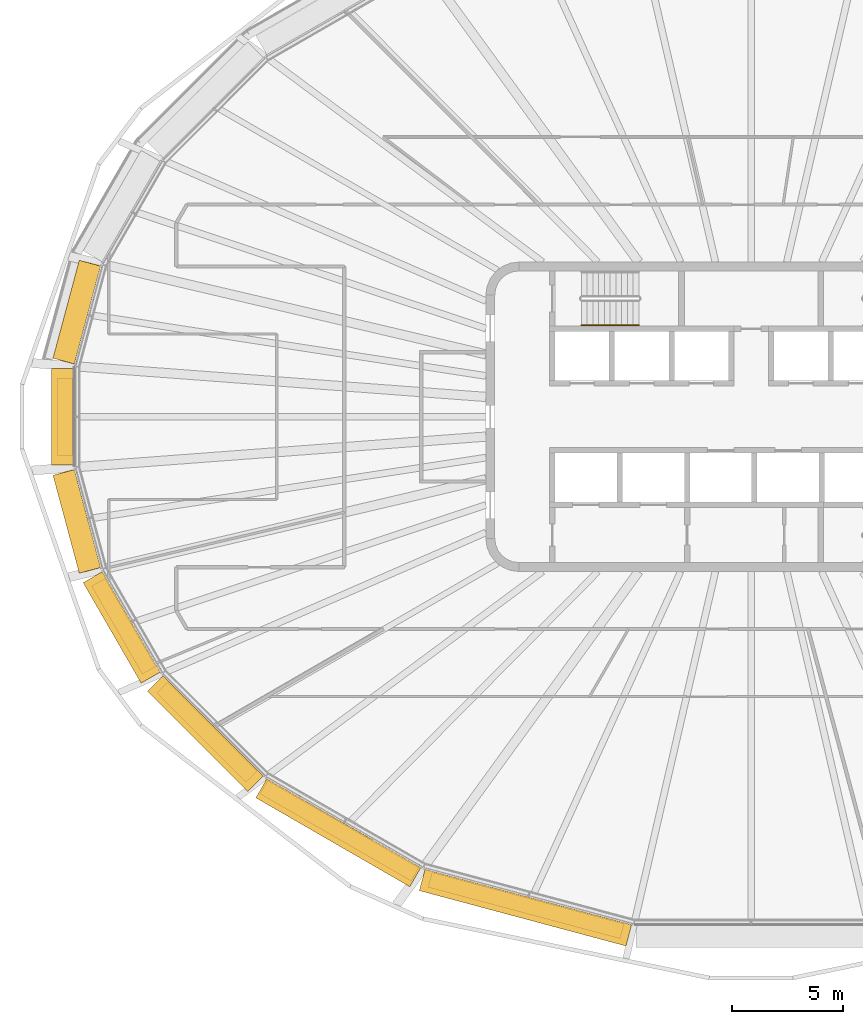
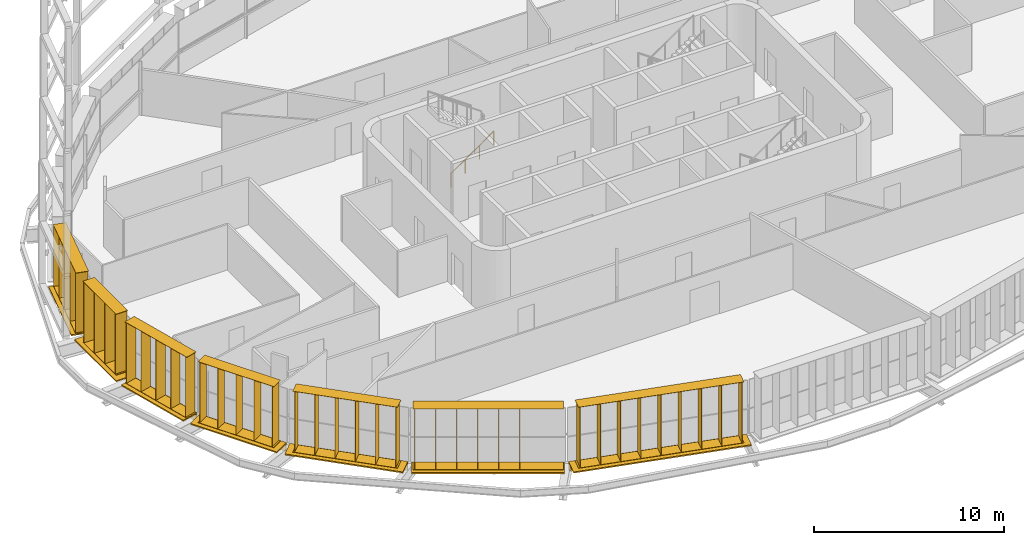
# One storey, part 15 of 20: 14 shading devices, 1 railing.
"""IFC4 building model written with IfcOpenShell, lengths in metres."""

from ifc_helpers import new_model, si_unit, direction, frame, origin, origin_2d, place, context, subcontext, project, spatial, rectangle, circle, extrude, material, type_object, element, save


model = new_model("IFC4")

# Units and contexts
model_context = context("Model", 3, precision=1e-05, world=origin(), true_north=direction((0.0, 1.0)))
body_context = subcontext(model_context, "Body", "Model", "MODEL_VIEW")
ifc_project = project(units=[si_unit("LENGTHUNIT", "METRE"), si_unit("AREAUNIT", "SQUARE_METRE"), si_unit("VOLUMEUNIT", "CUBIC_METRE"), si_unit("PLANEANGLEUNIT", "RADIAN"), si_unit("MASSUNIT", "GRAM", prefix="KILO")], contexts=[model_context])

# Site, building, storey
site_placement = place(None, origin())
site = spatial("IfcSite", under=ifc_project, at=site_placement, CompositionType="ELEMENT")
building_placement = place(site_placement, origin())
building = spatial("IfcBuilding", under=site, at=building_placement, Name="Sahrelin Media Tower", CompositionType="ELEMENT")
storey_placement = place(building_placement, frame((0.0, 0.0, 213.60009765625)))
storey = spatial("IfcBuildingStorey", under=building, at=storey_placement, Name="L45", CompositionType="ELEMENT", Elevation=213.60009765625)

# Shading devices
ifc_material_1 = material(Name="Champagne anodised aluminium 6063-T6", Category="aluminium")
shading_device_type_1 = type_object("IfcShadingDeviceType", Name="Fin cassette", PredefinedType="USERDEFINED", material=ifc_material_1)
placement_1 = place(storey_placement, frame((-30.00244140625, 4.59912109375, 0.0), z_axis=(0.0, 0.0, 1.0), x_axis=(0.258807731996, 0.965928857556, 0.0)))
element("IfcShadingDevice", 1, at=placement_1, inside=storey, type_object=shading_device_type_1, Name="L45:FIN:L45-11", ObjectType="FIN", PredefinedType="USERDEFINED", context=body_context, shape_type="SweptSolid", body=[
    extrude(rectangle(XDim=4.60009765625, YDim=0.699951171875, at=origin_2d()), frame((0.0, 0.419921875, 0.0)), (0.0, 0.0, 1.0), 0.02001953125),
    extrude(rectangle(XDim=4.60009765625, YDim=0.699951171875, at=origin_2d()), frame((0.0, 0.419921875, 3.89990234375)), (0.0, 0.0, 1.0), 0.02001953125),
    extrude(rectangle(XDim=0.02001953125, YDim=0.699951171875, at=origin_2d()), frame((-2.199951171875, 0.419921875, 0.010009765625), z_axis=(0.0, 0.0, 1.0), x_axis=(1.0, 0.0, 0.0)), (0.0, 0.0, 1.0), 3.89990234375),
    extrude(rectangle(XDim=0.02001953125, YDim=0.699951171875, at=origin_2d()), frame((-1.10009765625, 0.419921875, 0.010009765625), z_axis=(0.0, 0.0, 1.0), x_axis=(1.0, 0.0, 0.0)), (0.0, 0.0, 1.0), 3.89990234375),
    extrude(rectangle(XDim=0.02001953125, YDim=0.699951171875, at=origin_2d()), frame((0.0, 0.419921875, 0.010009765625), z_axis=(0.0, 0.0, 1.0), x_axis=(1.0, 0.0, 0.0)), (0.0, 0.0, 1.0), 3.89990234375),
    extrude(rectangle(XDim=0.02001953125, YDim=0.699951171875, at=origin_2d()), frame((1.10009765625, 0.419921875, 0.010009765625), z_axis=(0.0, 0.0, 1.0), x_axis=(1.0, 0.0, 0.0)), (0.0, 0.0, 1.0), 3.89990234375),
    extrude(rectangle(XDim=0.02001953125, YDim=0.699951171875, at=origin_2d()), frame((2.199951171875, 0.419921875, 0.010009765625), z_axis=(0.0, 0.0, 1.0), x_axis=(1.0, 0.0, 0.0)), (0.0, 0.0, 1.0), 3.89990234375),
])
placement_2 = place(storey_placement, frame((-30.621826171875, 0.0, 0.0), z_axis=(0.0, 0.0, 1.0), x_axis=(0.0, 1.0, 0.0)))
element("IfcShadingDevice", 2, at=placement_2, inside=storey, type_object=shading_device_type_1, Name="L45:FIN:L45-12", ObjectType="FIN", PredefinedType="USERDEFINED", context=body_context, shape_type="SweptSolid", body=[
    extrude(rectangle(XDim=3.5, YDim=0.699951171875, at=origin_2d()), frame((0.0, 0.419921875, 0.0)), (0.0, 0.0, 1.0), 0.02001953125),
    extrude(rectangle(XDim=3.5, YDim=0.699951171875, at=origin_2d()), frame((0.0, 0.419921875, 3.89990234375)), (0.0, 0.0, 1.0), 0.02001953125),
    extrude(rectangle(XDim=0.02001953125, YDim=0.699951171875, at=origin_2d()), frame((-1.64990234375, 0.419921875, 0.010009765625), z_axis=(0.0, 0.0, 1.0), x_axis=(1.0, 0.0, 0.0)), (0.0, 0.0, 1.0), 3.89990234375),
    extrude(rectangle(XDim=0.02001953125, YDim=0.699951171875, at=origin_2d()), frame((-0.550048828125, 0.419921875, 0.010009765625), z_axis=(0.0, 0.0, 1.0), x_axis=(1.0, 0.0, 0.0)), (0.0, 0.0, 1.0), 3.89990234375),
    extrude(rectangle(XDim=0.02001953125, YDim=0.699951171875, at=origin_2d()), frame((0.550048828125, 0.419921875, 0.010009765625), z_axis=(0.0, 0.0, 1.0), x_axis=(1.0, 0.0, 0.0)), (0.0, 0.0, 1.0), 3.89990234375),
    extrude(rectangle(XDim=0.02001953125, YDim=0.699951171875, at=origin_2d()), frame((1.64990234375, 0.419921875, 0.010009765625), z_axis=(0.0, 0.0, 1.0), x_axis=(1.0, 0.0, 0.0)), (0.0, 0.0, 1.0), 3.89990234375),
])
placement_3 = place(storey_placement, frame((-30.00244140625, -4.599365234375, 0.0), z_axis=(0.0, 0.0, 1.0), x_axis=(-0.258807731996, 0.965928857556, 0.0)))
element("IfcShadingDevice", 3, at=placement_3, inside=storey, type_object=shading_device_type_1, Name="L45:FIN:L45-13", ObjectType="FIN", PredefinedType="USERDEFINED", context=body_context, shape_type="SweptSolid", body=[
    extrude(rectangle(XDim=4.60009765625, YDim=0.699951171875, at=origin_2d()), frame((0.0, 0.419921875, 0.0)), (0.0, 0.0, 1.0), 0.02001953125),
    extrude(rectangle(XDim=4.60009765625, YDim=0.699951171875, at=origin_2d()), frame((0.0, 0.419921875, 3.89990234375)), (0.0, 0.0, 1.0), 0.02001953125),
    extrude(rectangle(XDim=0.02001953125, YDim=0.699951171875, at=origin_2d()), frame((-2.199951171875, 0.419921875, 0.010009765625), z_axis=(0.0, 0.0, 1.0), x_axis=(1.0, 0.0, 0.0)), (0.0, 0.0, 1.0), 3.89990234375),
    extrude(rectangle(XDim=0.02001953125, YDim=0.699951171875, at=origin_2d()), frame((-1.10009765625, 0.419921875, 0.010009765625), z_axis=(0.0, 0.0, 1.0), x_axis=(1.0, 0.0, 0.0)), (0.0, 0.0, 1.0), 3.89990234375),
    extrude(rectangle(XDim=0.02001953125, YDim=0.699951171875, at=origin_2d()), frame((0.0, 0.419921875, 0.010009765625), z_axis=(0.0, 0.0, 1.0), x_axis=(1.0, 0.0, 0.0)), (0.0, 0.0, 1.0), 3.89990234375),
    extrude(rectangle(XDim=0.02001953125, YDim=0.699951171875, at=origin_2d()), frame((1.10009765625, 0.419921875, 0.010009765625), z_axis=(0.0, 0.0, 1.0), x_axis=(1.0, 0.0, 0.0)), (0.0, 0.0, 1.0), 3.89990234375),
    extrude(rectangle(XDim=0.02001953125, YDim=0.699951171875, at=origin_2d()), frame((2.199951171875, 0.419921875, 0.010009765625), z_axis=(0.0, 0.0, 1.0), x_axis=(1.0, 0.0, 0.0)), (0.0, 0.0, 1.0), 3.89990234375),
])
placement_4 = place(storey_placement, frame((-28.02197265625, -9.268310546875, 0.0), z_axis=(0.0, 0.0, 1.0), x_axis=(-0.500011000363, 0.866019052629, 0.0)))
element("IfcShadingDevice", 4, at=placement_4, inside=storey, type_object=shading_device_type_1, Name="L45:FIN:L45-14", ObjectType="FIN", PredefinedType="USERDEFINED", context=body_context, shape_type="SweptSolid", body=[
    extrude(rectangle(XDim=4.60009765625, YDim=0.699951171875, at=origin_2d()), frame((0.0, 0.419921875, 0.0)), (0.0, 0.0, 1.0), 0.02001953125),
    extrude(rectangle(XDim=4.60009765625, YDim=0.699951171875, at=origin_2d()), frame((0.0, 0.419921875, 3.89990234375)), (0.0, 0.0, 1.0), 0.02001953125),
    extrude(rectangle(XDim=0.02001953125, YDim=0.699951171875, at=origin_2d()), frame((-2.199951171875, 0.419921875, 0.010009765625), z_axis=(0.0, 0.0, 1.0), x_axis=(1.0, 0.0, 0.0)), (0.0, 0.0, 1.0), 3.89990234375),
    extrude(rectangle(XDim=0.02001953125, YDim=0.699951171875, at=origin_2d()), frame((-1.10009765625, 0.419921875, 0.010009765625), z_axis=(0.0, 0.0, 1.0), x_axis=(1.0, 0.0, 0.0)), (0.0, 0.0, 1.0), 3.89990234375),
    extrude(rectangle(XDim=0.02001953125, YDim=0.699951171875, at=origin_2d()), frame((0.0, 0.419921875, 0.010009765625), z_axis=(0.0, 0.0, 1.0), x_axis=(1.0, 0.0, 0.0)), (0.0, 0.0, 1.0), 3.89990234375),
    extrude(rectangle(XDim=0.02001953125, YDim=0.699951171875, at=origin_2d()), frame((1.10009765625, 0.419921875, 0.010009765625), z_axis=(0.0, 0.0, 1.0), x_axis=(1.0, 0.0, 0.0)), (0.0, 0.0, 1.0), 3.89990234375),
    extrude(rectangle(XDim=0.02001953125, YDim=0.699951171875, at=origin_2d()), frame((2.199951171875, 0.419921875, 0.010009765625), z_axis=(0.0, 0.0, 1.0), x_axis=(1.0, 0.0, 0.0)), (0.0, 0.0, 1.0), 3.89990234375),
])
placement_5 = place(storey_placement, frame((-24.32177734375, -13.96484375, 0.0), z_axis=(0.0, 0.0, 1.0), x_axis=(-0.707106781187, 0.707106781187, 0.0)))
element("IfcShadingDevice", 5, at=placement_5, inside=storey, type_object=shading_device_type_1, Name="L45:FIN:L45-15", ObjectType="FIN", PredefinedType="USERDEFINED", context=body_context, shape_type="SweptSolid", body=[
    extrude(rectangle(XDim=5.699951171875, YDim=0.699951171875, at=origin_2d()), frame((0.0, 0.419921875, 0.0)), (0.0, 0.0, 1.0), 0.02001953125),
    extrude(rectangle(XDim=5.699951171875, YDim=0.699951171875, at=origin_2d()), frame((0.0, 0.419921875, 3.89990234375)), (0.0, 0.0, 1.0), 0.02001953125),
    extrude(rectangle(XDim=0.02001953125, YDim=0.699951171875, at=origin_2d()), frame((-2.75, 0.419921875, 0.010009765625), z_axis=(0.0, 0.0, 1.0), x_axis=(1.0, 0.0, 0.0)), (0.0, 0.0, 1.0), 3.89990234375),
    extrude(rectangle(XDim=0.02001953125, YDim=0.699951171875, at=origin_2d()), frame((-1.64990234375, 0.419921875, 0.010009765625), z_axis=(0.0, 0.0, 1.0), x_axis=(1.0, 0.0, 0.0)), (0.0, 0.0, 1.0), 3.89990234375),
    extrude(rectangle(XDim=0.02001953125, YDim=0.699951171875, at=origin_2d()), frame((-0.550048828125, 0.419921875, 0.010009765625), z_axis=(0.0, 0.0, 1.0), x_axis=(1.0, 0.0, 0.0)), (0.0, 0.0, 1.0), 3.89990234375),
    extrude(rectangle(XDim=0.02001953125, YDim=0.699951171875, at=origin_2d()), frame((0.550048828125, 0.419921875, 0.010009765625), z_axis=(0.0, 0.0, 1.0), x_axis=(1.0, 0.0, 0.0)), (0.0, 0.0, 1.0), 3.89990234375),
    extrude(rectangle(XDim=0.02001953125, YDim=0.699951171875, at=origin_2d()), frame((1.64990234375, 0.419921875, 0.010009765625), z_axis=(0.0, 0.0, 1.0), x_axis=(1.0, 0.0, 0.0)), (0.0, 0.0, 1.0), 3.89990234375),
    extrude(rectangle(XDim=0.02001953125, YDim=0.699951171875, at=origin_2d()), frame((2.75, 0.419921875, 0.010009765625), z_axis=(0.0, 0.0, 1.0), x_axis=(1.0, 0.0, 0.0)), (0.0, 0.0, 1.0), 3.89990234375),
])
placement_6 = place(storey_placement, frame((-18.413330078125, -18.364501953125, 0.0), z_axis=(0.0, 0.0, 1.0), x_axis=(-0.866019052629, 0.500011000363, 0.0)))
element("IfcShadingDevice", 6, at=placement_6, inside=storey, type_object=shading_device_type_1, Name="L45:FIN:L45-16", ObjectType="FIN", PredefinedType="USERDEFINED", context=body_context, shape_type="SweptSolid", body=[
    extrude(rectangle(XDim=7.89990234375, YDim=0.699951171875, at=origin_2d()), frame((0.0, 0.419921875, 0.0)), (0.0, 0.0, 1.0), 0.02001953125),
    extrude(rectangle(XDim=7.89990234375, YDim=0.699951171875, at=origin_2d()), frame((0.0, 0.419921875, 3.89990234375)), (0.0, 0.0, 1.0), 0.02001953125),
    extrude(rectangle(XDim=0.02001953125, YDim=0.699951171875, at=origin_2d()), frame((-3.85009765625, 0.419921875, 0.010009765625), z_axis=(0.0, 0.0, 1.0), x_axis=(1.0, 0.0, 0.0)), (0.0, 0.0, 1.0), 3.89990234375),
    extrude(rectangle(XDim=0.02001953125, YDim=0.699951171875, at=origin_2d()), frame((-2.75, 0.419921875, 0.010009765625), z_axis=(0.0, 0.0, 1.0), x_axis=(1.0, 0.0, 0.0)), (0.0, 0.0, 1.0), 3.89990234375),
    extrude(rectangle(XDim=0.02001953125, YDim=0.699951171875, at=origin_2d()), frame((-1.64990234375, 0.419921875, 0.010009765625), z_axis=(0.0, 0.0, 1.0), x_axis=(1.0, 0.0, 0.0)), (0.0, 0.0, 1.0), 3.89990234375),
    extrude(rectangle(XDim=0.02001953125, YDim=0.699951171875, at=origin_2d()), frame((-0.550048828125, 0.419921875, 0.010009765625), z_axis=(0.0, 0.0, 1.0), x_axis=(1.0, 0.0, 0.0)), (0.0, 0.0, 1.0), 3.89990234375),
    extrude(rectangle(XDim=0.02001953125, YDim=0.699951171875, at=origin_2d()), frame((0.550048828125, 0.419921875, 0.010009765625), z_axis=(0.0, 0.0, 1.0), x_axis=(1.0, 0.0, 0.0)), (0.0, 0.0, 1.0), 3.89990234375),
    extrude(rectangle(XDim=0.02001953125, YDim=0.699951171875, at=origin_2d()), frame((1.64990234375, 0.419921875, 0.010009765625), z_axis=(0.0, 0.0, 1.0), x_axis=(1.0, 0.0, 0.0)), (0.0, 0.0, 1.0), 3.89990234375),
    extrude(rectangle(XDim=0.02001953125, YDim=0.699951171875, at=origin_2d()), frame((2.75, 0.419921875, 0.010009765625), z_axis=(0.0, 0.0, 1.0), x_axis=(1.0, 0.0, 0.0)), (0.0, 0.0, 1.0), 3.89990234375),
    extrude(rectangle(XDim=0.02001953125, YDim=0.699951171875, at=origin_2d()), frame((3.85009765625, 0.419921875, 0.010009765625), z_axis=(0.0, 0.0, 1.0), x_axis=(1.0, 0.0, 0.0)), (0.0, 0.0, 1.0), 3.89990234375),
])
placement_7 = place(storey_placement, frame((-10.072998046875, -21.703857421875, 0.0), z_axis=(0.0, 0.0, 1.0), x_axis=(-0.965928857556, 0.258807731996, 0.0)))
element("IfcShadingDevice", 7, at=placement_7, inside=storey, type_object=shading_device_type_1, Name="L45:FIN:L45-17", ObjectType="FIN", PredefinedType="USERDEFINED", context=body_context, shape_type="SweptSolid", body=[
    extrude(rectangle(XDim=9.0, YDim=0.699951171875, at=origin_2d()), frame((0.0, 0.419921875, 0.0)), (0.0, 0.0, 1.0), 0.02001953125),
    extrude(rectangle(XDim=9.0, YDim=0.699951171875, at=origin_2d()), frame((0.0, 0.419921875, 3.89990234375)), (0.0, 0.0, 1.0), 0.02001953125),
    extrude(rectangle(XDim=0.02001953125, YDim=0.699951171875, at=origin_2d()), frame((-4.39990234375, 0.419921875, 0.010009765625), z_axis=(0.0, 0.0, 1.0), x_axis=(1.0, 0.0, 0.0)), (0.0, 0.0, 1.0), 3.89990234375),
    extrude(rectangle(XDim=0.02001953125, YDim=0.699951171875, at=origin_2d()), frame((-3.300048828125, 0.419921875, 0.010009765625), z_axis=(0.0, 0.0, 1.0), x_axis=(1.0, 0.0, 0.0)), (0.0, 0.0, 1.0), 3.89990234375),
    extrude(rectangle(XDim=0.02001953125, YDim=0.699951171875, at=origin_2d()), frame((-2.199951171875, 0.419921875, 0.010009765625), z_axis=(0.0, 0.0, 1.0), x_axis=(1.0, 0.0, 0.0)), (0.0, 0.0, 1.0), 3.89990234375),
    extrude(rectangle(XDim=0.02001953125, YDim=0.699951171875, at=origin_2d()), frame((-1.10009765625, 0.419921875, 0.010009765625), z_axis=(0.0, 0.0, 1.0), x_axis=(1.0, 0.0, 0.0)), (0.0, 0.0, 1.0), 3.89990234375),
    extrude(rectangle(XDim=0.02001953125, YDim=0.699951171875, at=origin_2d()), frame((0.0, 0.419921875, 0.010009765625), z_axis=(0.0, 0.0, 1.0), x_axis=(1.0, 0.0, 0.0)), (0.0, 0.0, 1.0), 3.89990234375),
    extrude(rectangle(XDim=0.02001953125, YDim=0.699951171875, at=origin_2d()), frame((1.10009765625, 0.419921875, 0.010009765625), z_axis=(0.0, 0.0, 1.0), x_axis=(1.0, 0.0, 0.0)), (0.0, 0.0, 1.0), 3.89990234375),
    extrude(rectangle(XDim=0.02001953125, YDim=0.699951171875, at=origin_2d()), frame((2.199951171875, 0.419921875, 0.010009765625), z_axis=(0.0, 0.0, 1.0), x_axis=(1.0, 0.0, 0.0)), (0.0, 0.0, 1.0), 3.89990234375),
    extrude(rectangle(XDim=0.02001953125, YDim=0.699951171875, at=origin_2d()), frame((3.300048828125, 0.419921875, 0.010009765625), z_axis=(0.0, 0.0, 1.0), x_axis=(1.0, 0.0, 0.0)), (0.0, 0.0, 1.0), 3.89990234375),
    extrude(rectangle(XDim=0.02001953125, YDim=0.699951171875, at=origin_2d()), frame((4.39990234375, 0.419921875, 0.010009765625), z_axis=(0.0, 0.0, 1.0), x_axis=(1.0, 0.0, 0.0)), (0.0, 0.0, 1.0), 3.89990234375),
])

# Railing
ifc_material_2 = material(Name="Steel S355", Category="steel")
railing_type = type_object("IfcRailingType", Name="Stair handrail 900", PredefinedType="HANDRAIL", material=ifc_material_2)
railing_placement = place(storey_placement, frame((-7.675048828125, 4.14990234375, 0.181640625)))
element("IfcRailing", 8, at=railing_placement, inside=storey, type_object=railing_type, Name="L45 ST1 stair handrail 1", PredefinedType="HANDRAIL", context=body_context, shape_type="SweptSolid", body=[
    extrude(circle(Radius=0.02392578125, at=origin_2d()), frame((0.0, 0.0, 0.8759765625), z_axis=(0.819484887739, 0.0, 0.573100792852), x_axis=(0.0, 1.0, 0.0)), (0.0, 0.0, 1.0), 3.1728515625),
    extrude(circle(Radius=0.02099609375, at=origin_2d()), origin(), (0.0, 0.0, 1.0), 0.851806640625),
    extrude(circle(Radius=0.02099609375, at=origin_2d()), frame((0.86669921875, 0.0, 0.606201171875)), (0.0, 0.0, 1.0), 0.851806640625),
    extrude(circle(Radius=0.02099609375, at=origin_2d()), frame((1.7333984375, 0.0, 1.212158203125)), (0.0, 0.0, 1.0), 0.851806640625),
    extrude(circle(Radius=0.02099609375, at=origin_2d()), frame((2.60009765625, 0.0, 1.818359375)), (0.0, 0.0, 1.0), 0.851806640625),
])

# Shading devices
shading_device_type_2 = type_object("IfcShadingDeviceType", Name="Sunshade band", PredefinedType="USERDEFINED", material=ifc_material_1)
element("IfcShadingDevice", 9, at=placement_1, inside=storey, type_object=shading_device_type_2, Name="L45:SUN:L45-11", ObjectType="SUNSHADE", PredefinedType="USERDEFINED", context=body_context, shape_type="SweptSolid", body=[
    extrude(rectangle(XDim=4.585693359375, YDim=0.050048828125, at=origin_2d()), frame((0.0, 0.044921875, -0.55126953125)), (0.0, 0.0, 1.0), 0.471435546875),
    extrude(rectangle(XDim=4.585693359375, YDim=1.0, at=origin_2d()), frame((0.0, 0.52001953125, -0.080078125)), (0.0, 0.0, 1.0), 0.080078125),
    extrude(rectangle(XDim=0.10009765625, YDim=0.074951171875, at=origin_2d()), frame((-2.19287109375, -0.017578125, -0.47021484375)), (0.0, 0.0, 1.0), 0.300048828125),
    extrude(rectangle(XDim=0.10009765625, YDim=0.074951171875, at=origin_2d()), frame((-0.73095703125, -0.017578125, -0.47021484375)), (0.0, 0.0, 1.0), 0.300048828125),
    extrude(rectangle(XDim=0.10009765625, YDim=0.074951171875, at=origin_2d()), frame((0.73095703125, -0.017578125, -0.47021484375)), (0.0, 0.0, 1.0), 0.300048828125),
    extrude(rectangle(XDim=0.10009765625, YDim=0.074951171875, at=origin_2d()), frame((2.19287109375, -0.017578125, -0.47021484375)), (0.0, 0.0, 1.0), 0.300048828125),
])
element("IfcShadingDevice", 10, at=placement_2, inside=storey, type_object=shading_device_type_2, Name="L45:SUN:L45-12", ObjectType="SUNSHADE", PredefinedType="USERDEFINED", context=body_context, shape_type="SweptSolid", body=[
    extrude(rectangle(XDim=4.3759765625, YDim=0.050048828125, at=origin_2d()), frame((0.0, 0.044921875, -0.55126953125)), (0.0, 0.0, 1.0), 0.471435546875),
    extrude(rectangle(XDim=4.3759765625, YDim=1.0, at=origin_2d()), frame((0.0, 0.52001953125, -0.080078125)), (0.0, 0.0, 1.0), 0.080078125),
    extrude(rectangle(XDim=0.10009765625, YDim=0.074951171875, at=origin_2d()), frame((-2.087890625, -0.017578125, -0.47021484375)), (0.0, 0.0, 1.0), 0.300048828125),
    extrude(rectangle(XDim=0.10009765625, YDim=0.074951171875, at=origin_2d()), frame((-0.696044921875, -0.017578125, -0.47021484375)), (0.0, 0.0, 1.0), 0.300048828125),
    extrude(rectangle(XDim=0.10009765625, YDim=0.074951171875, at=origin_2d()), frame((0.696044921875, -0.017578125, -0.47021484375)), (0.0, 0.0, 1.0), 0.300048828125),
    extrude(rectangle(XDim=0.10009765625, YDim=0.074951171875, at=origin_2d()), frame((2.087890625, -0.017578125, -0.47021484375)), (0.0, 0.0, 1.0), 0.300048828125),
])
element("IfcShadingDevice", 11, at=placement_3, inside=storey, type_object=shading_device_type_2, Name="L45:SUN:L45-13", ObjectType="SUNSHADE", PredefinedType="USERDEFINED", context=body_context, shape_type="SweptSolid", body=[
    extrude(rectangle(XDim=4.585693359375, YDim=0.050048828125, at=origin_2d()), frame((0.0, 0.044921875, -0.55126953125)), (0.0, 0.0, 1.0), 0.471435546875),
    extrude(rectangle(XDim=4.585693359375, YDim=1.0, at=origin_2d()), frame((0.0, 0.52001953125, -0.080078125)), (0.0, 0.0, 1.0), 0.080078125),
    extrude(rectangle(XDim=0.10009765625, YDim=0.074951171875, at=origin_2d()), frame((-2.19287109375, -0.017578125, -0.47021484375)), (0.0, 0.0, 1.0), 0.300048828125),
    extrude(rectangle(XDim=0.10009765625, YDim=0.074951171875, at=origin_2d()), frame((-0.73095703125, -0.017578125, -0.47021484375)), (0.0, 0.0, 1.0), 0.300048828125),
    extrude(rectangle(XDim=0.10009765625, YDim=0.074951171875, at=origin_2d()), frame((0.73095703125, -0.017578125, -0.47021484375)), (0.0, 0.0, 1.0), 0.300048828125),
    extrude(rectangle(XDim=0.10009765625, YDim=0.074951171875, at=origin_2d()), frame((2.19287109375, -0.017578125, -0.47021484375)), (0.0, 0.0, 1.0), 0.300048828125),
])
element("IfcShadingDevice", 12, at=placement_4, inside=storey, type_object=shading_device_type_2, Name="L45:SUN:L45-14", ObjectType="SUNSHADE", PredefinedType="USERDEFINED", context=body_context, shape_type="SweptSolid", body=[
    extrude(rectangle(XDim=5.2451171875, YDim=0.050048828125, at=origin_2d()), frame((0.0, 0.044921875, -0.55126953125)), (0.0, 0.0, 1.0), 0.471435546875),
    extrude(rectangle(XDim=5.2451171875, YDim=1.0, at=origin_2d()), frame((0.0, 0.52001953125, -0.080078125)), (0.0, 0.0, 1.0), 0.080078125),
    extrude(rectangle(XDim=0.10009765625, YDim=0.074951171875, at=origin_2d()), frame((-2.522705078125, -0.017578125, -0.47021484375)), (0.0, 0.0, 1.0), 0.300048828125),
    extrude(rectangle(XDim=0.10009765625, YDim=0.074951171875, at=origin_2d()), frame((-0.8408203125, -0.017578125, -0.47021484375)), (0.0, 0.0, 1.0), 0.300048828125),
    extrude(rectangle(XDim=0.10009765625, YDim=0.074951171875, at=origin_2d()), frame((0.8408203125, -0.017578125, -0.47021484375)), (0.0, 0.0, 1.0), 0.300048828125),
    extrude(rectangle(XDim=0.10009765625, YDim=0.074951171875, at=origin_2d()), frame((2.522705078125, -0.017578125, -0.47021484375)), (0.0, 0.0, 1.0), 0.300048828125),
])
element("IfcShadingDevice", 13, at=placement_5, inside=storey, type_object=shading_device_type_2, Name="L45:SUN:L45-15", ObjectType="SUNSHADE", PredefinedType="USERDEFINED", context=body_context, shape_type="SweptSolid", body=[
    extrude(rectangle(XDim=6.4150390625, YDim=0.050048828125, at=origin_2d()), frame((0.0, 0.044921875, -0.55126953125)), (0.0, 0.0, 1.0), 0.471435546875),
    extrude(rectangle(XDim=6.4150390625, YDim=1.0, at=origin_2d()), frame((0.0, 0.52001953125, -0.080078125)), (0.0, 0.0, 1.0), 0.080078125),
    extrude(rectangle(XDim=0.10009765625, YDim=0.074951171875, at=origin_2d()), frame((-3.107421875, -0.017578125, -0.47021484375)), (0.0, 0.0, 1.0), 0.300048828125),
    extrude(rectangle(XDim=0.10009765625, YDim=0.074951171875, at=origin_2d()), frame((-1.5537109375, -0.017578125, -0.47021484375)), (0.0, 0.0, 1.0), 0.300048828125),
    extrude(rectangle(XDim=0.10009765625, YDim=0.074951171875, at=origin_2d()), frame((0.0, -0.017578125, -0.47021484375)), (0.0, 0.0, 1.0), 0.300048828125),
    extrude(rectangle(XDim=0.10009765625, YDim=0.074951171875, at=origin_2d()), frame((1.5537109375, -0.017578125, -0.47021484375)), (0.0, 0.0, 1.0), 0.300048828125),
    extrude(rectangle(XDim=0.10009765625, YDim=0.074951171875, at=origin_2d()), frame((3.107421875, -0.017578125, -0.47021484375)), (0.0, 0.0, 1.0), 0.300048828125),
])
element("IfcShadingDevice", 14, at=placement_6, inside=storey, type_object=shading_device_type_2, Name="L45:SUN:L45-16", ObjectType="SUNSHADE", PredefinedType="USERDEFINED", context=body_context, shape_type="SweptSolid", body=[
    extrude(rectangle(XDim=8.043701171875, YDim=0.050048828125, at=origin_2d()), frame((0.0, 0.044921875, -0.55126953125)), (0.0, 0.0, 1.0), 0.471435546875),
    extrude(rectangle(XDim=8.043701171875, YDim=1.0, at=origin_2d()), frame((0.0, 0.52001953125, -0.080078125)), (0.0, 0.0, 1.0), 0.080078125),
    extrude(rectangle(XDim=0.10009765625, YDim=0.074951171875, at=origin_2d()), frame((-3.921875, -0.017578125, -0.47021484375)), (0.0, 0.0, 1.0), 0.300048828125),
    extrude(rectangle(XDim=0.10009765625, YDim=0.074951171875, at=origin_2d()), frame((-2.35302734375, -0.017578125, -0.47021484375)), (0.0, 0.0, 1.0), 0.300048828125),
    extrude(rectangle(XDim=0.10009765625, YDim=0.074951171875, at=origin_2d()), frame((-0.784423828125, -0.017578125, -0.47021484375)), (0.0, 0.0, 1.0), 0.300048828125),
    extrude(rectangle(XDim=0.10009765625, YDim=0.074951171875, at=origin_2d()), frame((0.784423828125, -0.017578125, -0.47021484375)), (0.0, 0.0, 1.0), 0.300048828125),
    extrude(rectangle(XDim=0.10009765625, YDim=0.074951171875, at=origin_2d()), frame((2.35302734375, -0.017578125, -0.47021484375)), (0.0, 0.0, 1.0), 0.300048828125),
    extrude(rectangle(XDim=0.10009765625, YDim=0.074951171875, at=origin_2d()), frame((3.921875, -0.017578125, -0.47021484375)), (0.0, 0.0, 1.0), 0.300048828125),
])
element("IfcShadingDevice", 15, at=placement_7, inside=storey, type_object=shading_device_type_2, Name="L45:SUN:L45-17", ObjectType="SUNSHADE", PredefinedType="USERDEFINED", context=body_context, shape_type="SweptSolid", body=[
    extrude(rectangle(XDim=9.677978515625, YDim=0.050048828125, at=origin_2d()), frame((0.0, 0.044921875, -0.55126953125)), (0.0, 0.0, 1.0), 0.471435546875),
    extrude(rectangle(XDim=9.677978515625, YDim=1.0, at=origin_2d()), frame((0.0, 0.52001953125, -0.080078125)), (0.0, 0.0, 1.0), 0.080078125),
    extrude(rectangle(XDim=0.10009765625, YDim=0.074951171875, at=origin_2d()), frame((-4.739013671875, -0.017578125, -0.47021484375)), (0.0, 0.0, 1.0), 0.300048828125),
    extrude(rectangle(XDim=0.10009765625, YDim=0.074951171875, at=origin_2d()), frame((-2.843505859375, -0.017578125, -0.47021484375)), (0.0, 0.0, 1.0), 0.300048828125),
    extrude(rectangle(XDim=0.10009765625, YDim=0.074951171875, at=origin_2d()), frame((-0.94775390625, -0.017578125, -0.47021484375)), (0.0, 0.0, 1.0), 0.300048828125),
    extrude(rectangle(XDim=0.10009765625, YDim=0.074951171875, at=origin_2d()), frame((0.94775390625, -0.017578125, -0.47021484375)), (0.0, 0.0, 1.0), 0.300048828125),
    extrude(rectangle(XDim=0.10009765625, YDim=0.074951171875, at=origin_2d()), frame((2.843505859375, -0.017578125, -0.47021484375)), (0.0, 0.0, 1.0), 0.300048828125),
    extrude(rectangle(XDim=0.10009765625, YDim=0.074951171875, at=origin_2d()), frame((4.739013671875, -0.017578125, -0.47021484375)), (0.0, 0.0, 1.0), 0.300048828125),
])

save(model, "model.ifc")
